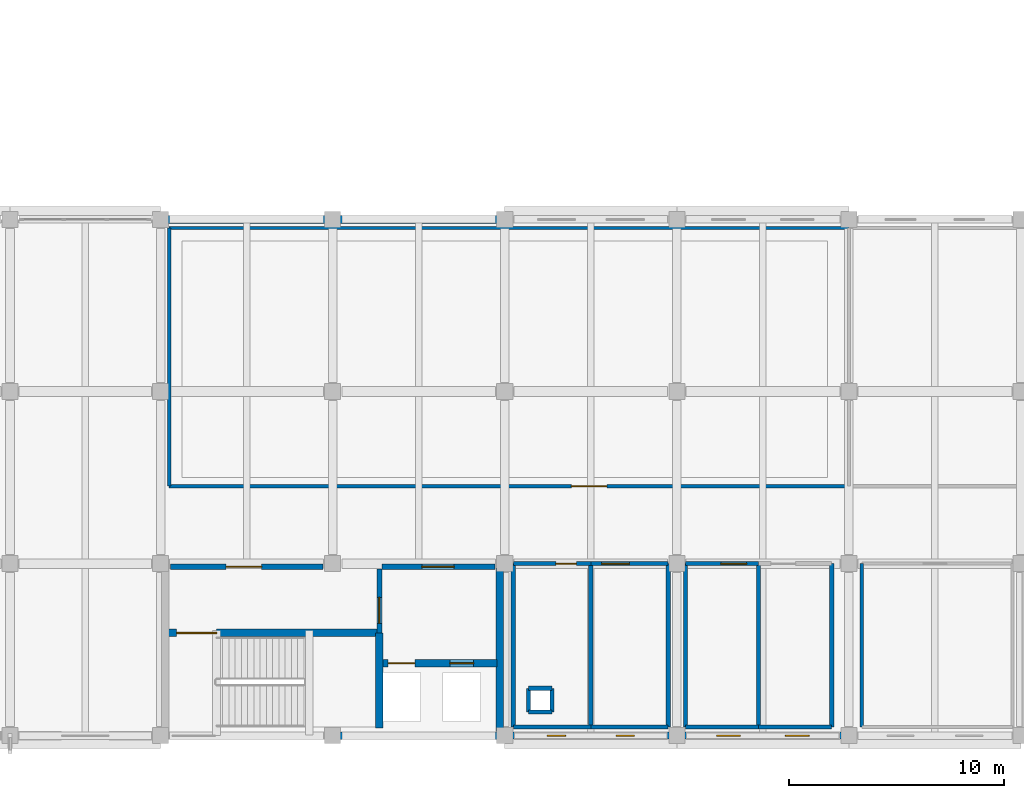
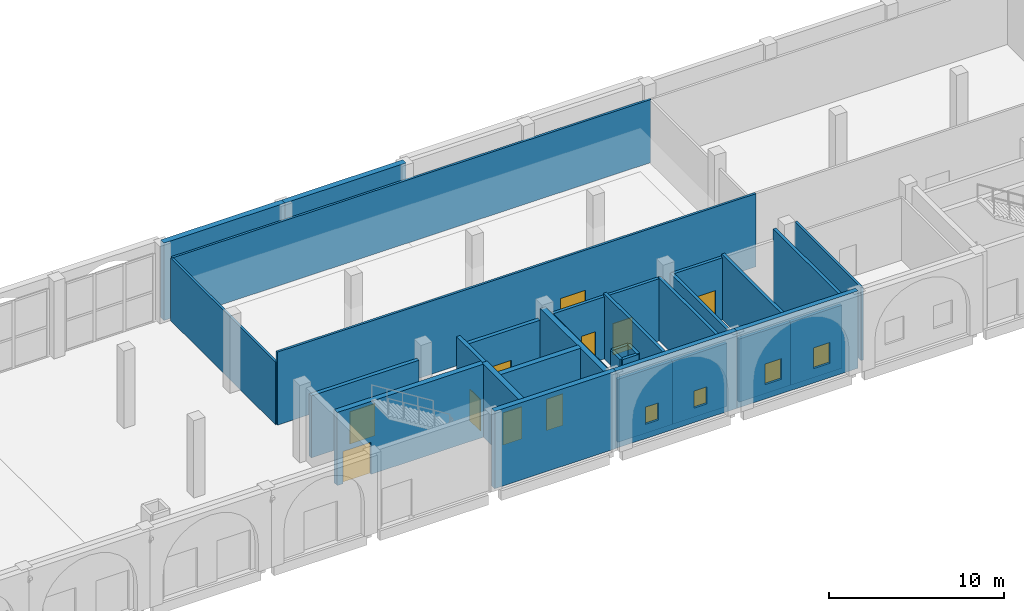
# One storey, part 19 of 40: 33 walls, 10 doors, 4 windows, 14 openings.
"""IFC4 building model written with IfcOpenShell, lengths in metres."""

from ifc_helpers import new_model, si_unit, direction, frame, frame_2d, origin, place, context, subcontext, project, spatial, rectangle, extrude, material, layer, layer_set, type_object, element, fill, save


model = new_model("IFC4")

# Units and contexts
model_context = context("Model", 3, precision=1e-05, world=origin(), true_north=direction((0.0, 1.0)))
body_context = subcontext(model_context, "Body", "Model", "MODEL_VIEW")
ifc_project = project(units=[si_unit("LENGTHUNIT", "METRE"), si_unit("AREAUNIT", "SQUARE_METRE"), si_unit("VOLUMEUNIT", "CUBIC_METRE"), si_unit("PLANEANGLEUNIT", "RADIAN"), si_unit("MASSUNIT", "GRAM", prefix="KILO")], contexts=[model_context])

# Site, building, storey
site_placement = place(None, origin())
site = spatial("IfcSite", under=ifc_project, at=site_placement, CompositionType="ELEMENT")
building_placement = place(site_placement, origin())
building = spatial("IfcBuilding", under=site, at=building_placement, Name="Qorikala Patio Media Centre", CompositionType="ELEMENT")
storey_placement = place(building_placement, origin())
storey = spatial("IfcBuildingStorey", under=building, at=storey_placement, Name="L00", CompositionType="ELEMENT", Elevation=0.0)

# Walls
ifc_material_1 = material(Name="Concrete C35/45", Category="concrete")
ifc_layer_1 = layer(ifc_material_1, 0.35009765625)
ifc_layer_set_1 = layer_set([ifc_layer_1], Name="Concrete C35/45")
wall_type_1 = type_object("IfcWallType", Name="WL-CORE-350", PredefinedType="SHEAR", material=ifc_layer_set_1)
wall_1_placement = place(storey_placement, frame((98.0, 3.0, 0.0), z_axis=(0.0, 0.0, 1.0), x_axis=(-1.0, 0.0, 0.0)))
element("IfcWall", 1, at=wall_1_placement, inside=storey, type_object=wall_type_1, Name="L00 Core C4 Exterior Shear Wall", PredefinedType="SHEAR", context=body_context, shape_type="SweptSolid", body=[
    extrude(rectangle(XDim=8.0, YDim=0.35009765625, at=frame_2d((4.0, 0.0))), origin(), (0.0, 0.0, 1.0), 5.39990234375),
])
wall_2_placement = place(storey_placement, frame((92.175048828125, 3.35009765625, 0.0), z_axis=(0.0, 0.0, 1.0), x_axis=(0.0, 1.0, 0.0)))
element("IfcWall", 2, at=wall_2_placement, inside=storey, type_object=wall_type_1, Name="L00 Interior Wall CW-L00-C4-SE", PredefinedType="SHEAR", context=body_context, shape_type="SweptSolid", body=[
    extrude(rectangle(XDim=4.4248046875, YDim=0.35009765625, at=frame_2d((2.21240234375, 0.0))), origin(), (0.0, 0.0, 1.0), 5.10009765625),
])
wall_3_placement = place(storey_placement, frame((97.77490234375, 3.199951171875, 0.0), z_axis=(0.0, 0.0, 1.0), x_axis=(0.0, 1.0, 0.0)))
element("IfcWall", 3, at=wall_3_placement, inside=storey, type_object=wall_type_1, Name="L00 Interior Wall CW-L00-C4-EE", PredefinedType="SHEAR", context=body_context, shape_type="SweptSolid", body=[
    extrude(rectangle(XDim=7.60009765625, YDim=0.35009765625, at=frame_2d((3.800048828125, 0.0))), origin(), (0.0, 0.0, 1.0), 5.10009765625),
])

# Wall, opening, door
wall_4_placement = place(storey_placement, frame((82.35009765625, 7.77490234375, 0.0), z_axis=(0.0, 0.0, 1.0), x_axis=(1.0, 0.0, 0.0)))
wall_4 = element("IfcWall", 4, at=wall_4_placement, inside=storey, type_object=wall_type_1, Name="L00 Interior Wall CW-L00-C4-SN", PredefinedType="SHEAR", context=body_context, shape_type="SweptSolid", body=[
    extrude(rectangle(XDim=9.824951171875, YDim=0.35009765625, at=frame_2d((4.91259765625, 0.0))), origin(), (0.0, 0.0, 1.0), 5.10009765625),
])
opening_1_placement = place(wall_4_placement, frame((0.39990234375, 0.0, 0.0)))
opening_1 = element("IfcOpeningElement", 5, at=opening_1_placement, cuts=wall_4, Name="Opening D123", PredefinedType="OPENING", context=body_context, shape_type="SweptSolid", body=[
    extrude(rectangle(XDim=1.85009765625, YDim=2.25, at=frame_2d((0.925048828125, 1.125))), frame((0.0, 0.18505859375, 0.0), z_axis=(0.0, -1.0, 0.0), x_axis=(1.0, 0.0, 0.0)), (0.0, 0.0, 1.0), 0.3701171875),
])
ifc_material_2 = material(Name="Powder-Coated Acoustic Fire Steel", Category="steel")
door_type_1 = type_object("IfcDoorType", Name="DR-FD60-185X225", OperationType="DOUBLE_DOOR_SINGLE_SWING", PredefinedType="DOOR", material=ifc_material_2)
door_1_placement = place(opening_1_placement, frame((1.85009765625, 0.0, 0.0), z_axis=(0.0, 0.0, 1.0), x_axis=(-1.0, 0.0, 0.0)))
door_1 = element("IfcDoor", 6, at=door_1_placement, inside=storey, type_object=door_type_1, Name="L00 Stair ST-4 Fire Door", OperationType="DOUBLE_DOOR_SINGLE_SWING", OverallHeight=2.25, OverallWidth=1.85009765625, PredefinedType="DOOR", context=body_context, shape_type="SweptSolid", body=[
    extrude(rectangle(XDim=1.85009765625, YDim=2.25, at=frame_2d((0.925048828125, 1.125))), frame((0.0, 0.02490234375, 0.0), z_axis=(0.0, -1.0, 0.0), x_axis=(1.0, 0.0, 0.0)), (0.0, 0.0, 1.0), 0.050048828125),
])
fill(opening_1, door_1)

# Wall, openings, doors
wall_5_placement = place(storey_placement, frame((92.175048828125, 6.375, 0.0), z_axis=(0.0, 0.0, 1.0), x_axis=(1.0, 0.0, 0.0)))
wall_5 = element("IfcWall", 7, at=wall_5_placement, inside=storey, type_object=wall_type_1, Name="L00 Interior Wall CW-L00-C4-LFN", PredefinedType="SHEAR", context=body_context, shape_type="SweptSolid", body=[
    extrude(rectangle(XDim=5.474853515625, YDim=0.35009765625, at=frame_2d((2.7373046875, 0.0))), origin(), (0.0, 0.0, 1.0), 5.10009765625),
])
opening_2_placement = place(wall_5_placement, frame((0.39990234375, 0.0, 0.0)))
opening_2 = element("IfcOpeningElement", 8, at=opening_2_placement, cuts=wall_5, Name="Opening LD31", PredefinedType="OPENING", context=body_context, shape_type="SweptSolid", body=[
    extrude(rectangle(XDim=1.25, YDim=2.25, at=frame_2d((0.625, 1.125))), frame((0.0, 0.18505859375, 0.0), z_axis=(0.0, -1.0, 0.0), x_axis=(1.0, 0.0, 0.0)), (0.0, 0.0, 1.0), 0.3701171875),
])
opening_3_placement = place(wall_5_placement, frame((3.27490234375, 0.0, 0.0)))
opening_3 = element("IfcOpeningElement", 9, at=opening_3_placement, cuts=wall_5, Name="Opening LD32", PredefinedType="OPENING", context=body_context, shape_type="SweptSolid", body=[
    extrude(rectangle(XDim=1.10009765625, YDim=2.199951171875, at=frame_2d((0.550048828125, 1.10009765625))), frame((0.0, 0.18505859375, 0.0), z_axis=(0.0, -1.0, 0.0), x_axis=(1.0, 0.0, 0.0)), (0.0, 0.0, 1.0), 0.3701171875),
])
ifc_material_3 = material(Name="Brushed Bronze Stainless Steel", Category="steel")
door_type_2 = type_object("IfcDoorType", Name="DR-LD-110X220", OperationType="DOUBLE_DOOR_SLIDING", PredefinedType="DOOR", material=ifc_material_3)
door_2_placement = place(opening_3_placement, origin())
door_2 = element("IfcDoor", 10, at=door_2_placement, inside=storey, type_object=door_type_2, Name="L00 Lift LP-02 Sliding Landing Door", OperationType="DOUBLE_DOOR_SLIDING", OverallHeight=2.199951171875, OverallWidth=1.10009765625, PredefinedType="DOOR", context=body_context, shape_type="SweptSolid", body=[
    extrude(rectangle(XDim=1.10009765625, YDim=2.199951171875, at=frame_2d((0.550048828125, 1.10009765625))), frame((0.0, 0.02490234375, 0.0), z_axis=(0.0, -1.0, 0.0), x_axis=(1.0, 0.0, 0.0)), (0.0, 0.0, 1.0), 0.050048828125),
])
fill(opening_3, door_2)
door_type_3 = type_object("IfcDoorType", Name="DR-LD-125X225", OperationType="DOUBLE_DOOR_SLIDING", PredefinedType="DOOR", material=ifc_material_3)
door_3_placement = place(opening_2_placement, origin())
door_3 = element("IfcDoor", 11, at=door_3_placement, inside=storey, type_object=door_type_3, Name="L00 Lift LP-01 Sliding Landing Door", OperationType="DOUBLE_DOOR_SLIDING", OverallHeight=2.25, OverallWidth=1.25, PredefinedType="DOOR", context=body_context, shape_type="SweptSolid", body=[
    extrude(rectangle(XDim=1.25, YDim=2.25, at=frame_2d((0.625, 1.125))), frame((0.0, 0.02490234375, 0.0), z_axis=(0.0, -1.0, 0.0), x_axis=(1.0, 0.0, 0.0)), (0.0, 0.0, 1.0), 0.050048828125),
])
fill(opening_2, door_3)

# Wall, openings, windows
ifc_material_4 = material(Name="Ivory Lime Stucco and Concrete C35/45", Category="concrete")
ifc_layer_2 = layer(ifc_material_4, 0.320068359375)
ifc_layer_set_2 = layer_set([ifc_layer_2], Name="Ivory Lime Stucco and Concrete C35/45")
wall_type_2 = type_object("IfcWallType", Name="WL-EXT-320", PredefinedType="SOLIDWALL", material=ifc_layer_set_2)
wall_6_placement = place(storey_placement, frame((114.0, 3.0, 0.0), z_axis=(0.0, 0.0, 1.0), x_axis=(-1.0, 0.0, 0.0)))
wall_6 = element("IfcWall", 12, at=wall_6_placement, inside=storey, type_object=wall_type_2, Name="L00 Exterior Wall WL-L00-EXT-0032", PredefinedType="SOLIDWALL", context=body_context, shape_type="SweptSolid", body=[
    extrude(rectangle(XDim=8.0, YDim=0.320068359375, at=frame_2d((4.0, 0.0))), origin(), (0.0, 0.0, 1.0), 5.39990234375),
])
opening_4_placement = place(wall_6_placement, frame((1.85009765625, 0.0, 1.0)))
opening_4 = element("IfcOpeningElement", 13, at=opening_4_placement, cuts=wall_6, Name="Opening WE-110", PredefinedType="OPENING", context=body_context, shape_type="SweptSolid", body=[
    extrude(rectangle(XDim=1.10009765625, YDim=1.449951171875, at=frame_2d((0.550048828125, 0.72509765625))), frame((0.0, 0.169921875, 0.0), z_axis=(0.0, -1.0, 0.0), x_axis=(1.0, 0.0, 0.0)), (0.0, 0.0, 1.0), 0.340087890625),
])
opening_5_placement = place(wall_6_placement, frame((5.050048828125, 0.0, 1.0)))
opening_5 = element("IfcOpeningElement", 14, at=opening_5_placement, cuts=wall_6, Name="Opening WE-110", PredefinedType="OPENING", context=body_context, shape_type="SweptSolid", body=[
    extrude(rectangle(XDim=1.10009765625, YDim=1.449951171875, at=frame_2d((0.550048828125, 0.72509765625))), frame((0.0, 0.169921875, 0.0), z_axis=(0.0, -1.0, 0.0), x_axis=(1.0, 0.0, 0.0)), (0.0, 0.0, 1.0), 0.340087890625),
])
ifc_material_5 = material(Name="Bronze Anodised Aluminium and Low-E Glass", Category="aluminium")
window_type_1 = type_object("IfcWindowType", Name="WN-ED-110X145", PartitioningType="SINGLE_PANEL", PredefinedType="WINDOW", material=ifc_material_5)
window_1_placement = place(opening_4_placement, origin())
window_1 = element("IfcWindow", 15, at=window_1_placement, inside=storey, type_object=window_type_1, Name="L00 Editing Wing Casement Window 0031", OverallHeight=1.449951171875, OverallWidth=1.10009765625, PartitioningType="SINGLE_PANEL", PredefinedType="WINDOW", context=body_context, shape_type="SweptSolid", body=[
    extrude(rectangle(XDim=1.10009765625, YDim=1.449951171875, at=frame_2d((0.550048828125, 0.72509765625))), frame((0.0, 0.030029296875, 0.0), z_axis=(0.0, -1.0, 0.0), x_axis=(1.0, 0.0, 0.0)), (0.0, 0.0, 1.0), 0.06005859375),
])
fill(opening_4, window_1)
window_2_placement = place(opening_5_placement, origin())
window_2 = element("IfcWindow", 16, at=window_2_placement, inside=storey, type_object=window_type_1, Name="L00 Editing Wing Casement Window 0032", OverallHeight=1.449951171875, OverallWidth=1.10009765625, PartitioningType="SINGLE_PANEL", PredefinedType="WINDOW", context=body_context, shape_type="SweptSolid", body=[
    extrude(rectangle(XDim=1.10009765625, YDim=1.449951171875, at=frame_2d((0.550048828125, 0.72509765625))), frame((0.0, 0.030029296875, 0.0), z_axis=(0.0, -1.0, 0.0), x_axis=(1.0, 0.0, 0.0)), (0.0, 0.0, 1.0), 0.06005859375),
])
fill(opening_5, window_2)

wall_7_placement = place(storey_placement, frame((106.0, 3.0, 0.0), z_axis=(0.0, 0.0, 1.0), x_axis=(-1.0, 0.0, 0.0)))
wall_7 = element("IfcWall", 17, at=wall_7_placement, inside=storey, type_object=wall_type_2, Name="L00 Exterior Wall WL-L00-EXT-0033", PredefinedType="SOLIDWALL", context=body_context, shape_type="SweptSolid", body=[
    extrude(rectangle(XDim=8.0, YDim=0.320068359375, at=frame_2d((4.0, 0.0))), origin(), (0.0, 0.0, 1.0), 5.39990234375),
])
opening_6_placement = place(wall_7_placement, frame((1.97509765625, 0.0, 1.0)))
opening_6 = element("IfcOpeningElement", 18, at=opening_6_placement, cuts=wall_7, Name="Opening WE-085", PredefinedType="OPENING", context=body_context, shape_type="SweptSolid", body=[
    extrude(rectangle(XDim=0.85009765625, YDim=1.199951171875, at=frame_2d((0.425048828125, 0.60009765625))), frame((0.0, 0.169921875, 0.0), z_axis=(0.0, -1.0, 0.0), x_axis=(1.0, 0.0, 0.0)), (0.0, 0.0, 1.0), 0.340087890625),
])
opening_7_placement = place(wall_7_placement, frame((5.175048828125, 0.0, 1.0)))
opening_7 = element("IfcOpeningElement", 19, at=opening_7_placement, cuts=wall_7, Name="Opening WE-085", PredefinedType="OPENING", context=body_context, shape_type="SweptSolid", body=[
    extrude(rectangle(XDim=0.85009765625, YDim=1.199951171875, at=frame_2d((0.425048828125, 0.60009765625))), frame((0.0, 0.169921875, 0.0), z_axis=(0.0, -1.0, 0.0), x_axis=(1.0, 0.0, 0.0)), (0.0, 0.0, 1.0), 0.340087890625),
])
window_type_2 = type_object("IfcWindowType", Name="WN-ED-085X120", PartitioningType="SINGLE_PANEL", PredefinedType="WINDOW", material=ifc_material_5)
window_3_placement = place(opening_6_placement, origin())
window_3 = element("IfcWindow", 20, at=window_3_placement, inside=storey, type_object=window_type_2, Name="L00 Editing Wing Casement Window 0033", OverallHeight=1.199951171875, OverallWidth=0.85009765625, PartitioningType="SINGLE_PANEL", PredefinedType="WINDOW", context=body_context, shape_type="SweptSolid", body=[
    extrude(rectangle(XDim=0.85009765625, YDim=1.199951171875, at=frame_2d((0.425048828125, 0.60009765625))), frame((0.0, 0.030029296875, 0.0), z_axis=(0.0, -1.0, 0.0), x_axis=(1.0, 0.0, 0.0)), (0.0, 0.0, 1.0), 0.06005859375),
])
fill(opening_6, window_3)
window_4_placement = place(opening_7_placement, origin())
window_4 = element("IfcWindow", 21, at=window_4_placement, inside=storey, type_object=window_type_2, Name="L00 Editing Wing Casement Window 0034", OverallHeight=1.199951171875, OverallWidth=0.85009765625, PartitioningType="SINGLE_PANEL", PredefinedType="WINDOW", context=body_context, shape_type="SweptSolid", body=[
    extrude(rectangle(XDim=0.85009765625, YDim=1.199951171875, at=frame_2d((0.425048828125, 0.60009765625))), frame((0.0, 0.030029296875, 0.0), z_axis=(0.0, -1.0, 0.0), x_axis=(1.0, 0.0, 0.0)), (0.0, 0.0, 1.0), 0.06005859375),
])
fill(opening_7, window_4)

# Wall, opening, door
ifc_layer_3 = layer(ifc_material_1, 0.25)
ifc_layer_set_3 = layer_set([ifc_layer_3], Name="Concrete C35/45")
wall_type_3 = type_object("IfcWallType", Name="WL-FFL-250", PredefinedType="PARTITIONING", material=ifc_layer_set_3)
wall_8_placement = place(storey_placement, frame((92.175048828125, 7.77490234375, 0.0), z_axis=(0.0, 0.0, 1.0), x_axis=(0.0, 1.0, 0.0)))
wall_8 = element("IfcWall", 22, at=wall_8_placement, inside=storey, type_object=wall_type_3, Name="L00 Interior Wall CW-L00-C4-LBD", PredefinedType="PARTITIONING", context=body_context, shape_type="SweptSolid", body=[
    extrude(rectangle(XDim=2.97509765625, YDim=0.25, at=frame_2d((1.487548828125, 0.0))), origin(), (0.0, 0.0, 1.0), 5.10009765625),
])
opening_8_placement = place(wall_8_placement, frame((0.449951171875, 0.0, 0.0)))
opening_8 = element("IfcOpeningElement", 23, at=opening_8_placement, cuts=wall_8, Name="Opening D124", PredefinedType="OPENING", context=body_context, shape_type="SweptSolid", body=[
    extrude(rectangle(XDim=1.199951171875, YDim=2.199951171875, at=frame_2d((0.60009765625, 1.10009765625))), frame((0.0, 0.135009765625, 0.0), z_axis=(0.0, -1.0, 0.0), x_axis=(1.0, 0.0, 0.0)), (0.0, 0.0, 1.0), 0.27001953125),
])
ifc_material_6 = material(Name="Acoustic Fire Timber and Steel", Category="steel")
door_type_4 = type_object("IfcDoorType", Name="DR-FD60-120X220", OperationType="NOTDEFINED", PredefinedType="DOOR", material=ifc_material_6)
door_4_placement = place(opening_8_placement, origin())
door_4 = element("IfcDoor", 24, at=door_4_placement, inside=storey, type_object=door_type_4, Name="L00 Core C4 Firefighting Lobby Cross Door", OperationType="SINGLE_SWING_RIGHT", OverallHeight=2.199951171875, OverallWidth=1.199951171875, PredefinedType="DOOR", context=body_context, shape_type="SweptSolid", body=[
    extrude(rectangle(XDim=1.199951171875, YDim=2.199951171875, at=frame_2d((0.60009765625, 1.10009765625))), frame((0.0, 0.02490234375, 0.0), z_axis=(0.0, -1.0, 0.0), x_axis=(1.0, 0.0, 0.0)), (0.0, 0.0, 1.0), 0.050048828125),
])
fill(opening_8, door_4)

wall_9_placement = place(storey_placement, frame((82.449951171875, 10.85009765625, 0.0), z_axis=(0.0, 0.0, 1.0), x_axis=(1.0, 0.0, 0.0)))
wall_9 = element("IfcWall", 25, at=wall_9_placement, inside=storey, type_object=wall_type_3, Name="L00 Interior Wall CW-L00-C4-CN1", PredefinedType="PARTITIONING", context=body_context, shape_type="SweptSolid", body=[
    extrude(rectangle(XDim=7.10009765625, YDim=0.25, at=frame_2d((3.550048828125, 0.0))), origin(), (0.0, 0.0, 1.0), 4.3349609375),
])
opening_9_placement = place(wall_9_placement, frame((2.60009765625, 0.0, 0.0)))
opening_9 = element("IfcOpeningElement", 26, at=opening_9_placement, cuts=wall_9, Name="Opening D125", PredefinedType="OPENING", context=body_context, shape_type="SweptSolid", body=[
    extrude(rectangle(XDim=1.64990234375, YDim=2.25, at=frame_2d((0.824951171875, 1.125))), frame((0.0, 0.135009765625, 0.0), z_axis=(0.0, -1.0, 0.0), x_axis=(1.0, 0.0, 0.0)), (0.0, 0.0, 1.0), 0.27001953125),
])
door_type_5 = type_object("IfcDoorType", Name="DR-FD60-165X225", OperationType="DOUBLE_DOOR_SINGLE_SWING", PredefinedType="DOOR", material=ifc_material_2)
door_5_placement = place(opening_9_placement, frame((1.64990234375, 0.0, 0.0), z_axis=(0.0, 0.0, 1.0), x_axis=(-1.0, 0.0, 0.0)))
door_5 = element("IfcDoor", 27, at=door_5_placement, inside=storey, type_object=door_type_5, Name="L00 Core C4 Vestibule Door", OperationType="DOUBLE_DOOR_SINGLE_SWING", OverallHeight=2.25, OverallWidth=1.64990234375, PredefinedType="DOOR", context=body_context, shape_type="SweptSolid", body=[
    extrude(rectangle(XDim=1.64990234375, YDim=2.25, at=frame_2d((0.824951171875, 1.125))), frame((0.0, 0.02490234375, 0.0), z_axis=(0.0, -1.0, 0.0), x_axis=(1.0, 0.0, 0.0)), (0.0, 0.0, 1.0), 0.050048828125),
])
fill(opening_9, door_5)

wall_10_placement = place(storey_placement, frame((92.300048828125, 10.85009765625, 0.0), z_axis=(0.0, 0.0, 1.0), x_axis=(1.0, 0.0, 0.0)))
wall_10 = element("IfcWall", 28, at=wall_10_placement, inside=storey, type_object=wall_type_3, Name="L00 Interior Wall CW-L00-C4-CN2", PredefinedType="PARTITIONING", context=body_context, shape_type="SweptSolid", body=[
    extrude(rectangle(XDim=5.25, YDim=0.25, at=frame_2d((2.625, 0.0))), origin(), (0.0, 0.0, 1.0), 4.3349609375),
])
opening_10_placement = place(wall_10_placement, frame((1.85009765625, 0.0, 0.0)))
opening_10 = element("IfcOpeningElement", 29, at=opening_10_placement, cuts=wall_10, Name="Opening D126", PredefinedType="OPENING", context=body_context, shape_type="SweptSolid", body=[
    extrude(rectangle(XDim=1.5, YDim=2.199951171875, at=frame_2d((0.75, 1.10009765625))), frame((0.0, 0.135009765625, 0.0), z_axis=(0.0, -1.0, 0.0), x_axis=(1.0, 0.0, 0.0)), (0.0, 0.0, 1.0), 0.27001953125),
])
door_type_6 = type_object("IfcDoorType", Name="DR-FD60-150X220", OperationType="DOUBLE_DOOR_SINGLE_SWING", PredefinedType="DOOR", material=ifc_material_2)
door_6_placement = place(opening_10_placement, origin())
door_6 = element("IfcDoor", 30, at=door_6_placement, inside=storey, type_object=door_type_6, Name="L00 Core C4 Firefighting Lobby Door", OperationType="DOUBLE_DOOR_SINGLE_SWING", OverallHeight=2.199951171875, OverallWidth=1.5, PredefinedType="DOOR", context=body_context, shape_type="SweptSolid", body=[
    extrude(rectangle(XDim=1.5, YDim=2.199951171875, at=frame_2d((0.75, 1.10009765625))), frame((0.0, 0.02490234375, 0.0), z_axis=(0.0, -1.0, 0.0), x_axis=(1.0, 0.0, 0.0)), (0.0, 0.0, 1.0), 0.050048828125),
])
fill(opening_10, door_6)

# Wall
ifc_material_7 = material(Name="Acoustic Gypsum Stud Partition")
ifc_layer_4 = layer(ifc_material_7, 0.14990234375)
ifc_layer_set_4 = layer_set([ifc_layer_4], Name="Acoustic Gypsum Stud Partition")
wall_type_4 = type_object("IfcWallType", Name="WL-PT-150", PredefinedType="PARTITIONING", material=ifc_layer_set_4)
wall_11_placement = place(storey_placement, frame((114.60009765625, 3.39990234375, 0.0), z_axis=(0.0, 0.0, 1.0), x_axis=(0.0, 1.0, 0.0)))
element("IfcWall", 31, at=wall_11_placement, inside=storey, type_object=wall_type_4, Name="L00 Interior Wall WINT-L00-SHOP-W", PredefinedType="PARTITIONING", context=body_context, shape_type="SweptSolid", body=[
    extrude(rectangle(XDim=7.60009765625, YDim=0.14990234375, at=frame_2d((3.800048828125, 0.0))), origin(), (0.0, 0.0, 1.0), 5.10009765625),
])

# Wall, opening, door
wall_12_placement = place(storey_placement, frame((82.39990234375, 14.60009765625, 0.0), z_axis=(0.0, 0.0, 1.0), x_axis=(1.0, 0.0, 0.0)))
wall_12 = element("IfcWall", 32, at=wall_12_placement, inside=storey, type_object=wall_type_4, Name="L00 Interior Wall WINT-L00-CAFE-S", PredefinedType="PARTITIONING", context=body_context, shape_type="SweptSolid", body=[
    extrude(rectangle(XDim=31.60009765625, YDim=0.14990234375, at=frame_2d((15.800048828125, 0.0))), origin(), (0.0, 0.0, 1.0), 5.10009765625),
])
opening_11_placement = place(wall_12_placement, frame((18.694091796875, 0.0, 0.0)))
opening_11 = element("IfcOpeningElement", 33, at=opening_11_placement, cuts=wall_12, Name="Opening D237", PredefinedType="OPENING", context=body_context, shape_type="SweptSolid", body=[
    extrude(rectangle(XDim=1.64990234375, YDim=2.300048828125, at=frame_2d((0.824951171875, 1.14990234375))), frame((0.0, 0.0849609375, 0.0), z_axis=(0.0, -1.0, 0.0), x_axis=(1.0, 0.0, 0.0)), (0.0, 0.0, 1.0), 0.169921875),
])
ifc_material_8 = material(Name="Solid Andean Cedar Timber", Category="wood")
door_type_7 = type_object("IfcDoorType", Name="DR-IN-165X230", OperationType="DOUBLE_DOOR_SINGLE_SWING", PredefinedType="DOOR", material=ifc_material_8)
door_7_placement = place(opening_11_placement, origin())
door_7 = element("IfcDoor", 34, at=door_7_placement, inside=storey, type_object=door_type_7, Name="Patio Cafe and Espresso Bar Door 026", OperationType="DOUBLE_DOOR_SINGLE_SWING", OverallHeight=2.300048828125, OverallWidth=1.64990234375, PredefinedType="DOOR", context=body_context, shape_type="SweptSolid", body=[
    extrude(rectangle(XDim=1.64990234375, YDim=2.300048828125, at=frame_2d((0.824951171875, 1.14990234375))), frame((0.0, 0.02490234375, 0.0), z_axis=(0.0, -1.0, 0.0), x_axis=(1.0, 0.0, 0.0)), (0.0, 0.0, 1.0), 0.050048828125),
])
fill(opening_11, door_7)

# Walls
wall_13_placement = place(storey_placement, frame((82.39990234375, 26.60009765625, 0.0), z_axis=(0.0, 0.0, 1.0), x_axis=(1.0, 0.0, 0.0)))
element("IfcWall", 35, at=wall_13_placement, inside=storey, type_object=wall_type_4, Name="L00 Interior Wall WINT-L00-CAFE-N", PredefinedType="PARTITIONING", context=body_context, shape_type="SweptSolid", body=[
    extrude(rectangle(XDim=31.60009765625, YDim=0.14990234375, at=frame_2d((15.800048828125, 0.0))), origin(), (0.0, 0.0, 1.0), 4.405029296875),
])
wall_14_placement = place(storey_placement, frame((82.39990234375, 14.60009765625, 0.0), z_axis=(0.0, 0.0, 1.0), x_axis=(0.0, 1.0, 0.0)))
element("IfcWall", 36, at=wall_14_placement, inside=storey, type_object=wall_type_4, Name="L00 Interior Wall WINT-L00-CAFE-W", PredefinedType="PARTITIONING", context=body_context, shape_type="SweptSolid", body=[
    extrude(rectangle(XDim=12.0, YDim=0.14990234375, at=frame_2d((6.0, 0.0))), origin(), (0.0, 0.0, 1.0), 4.385009765625),
])
ifc_material_9 = material(Name="Acoustic Masonry and Plaster Concrete C30/37", Category="masonry")
ifc_layer_5 = layer(ifc_material_9, 0.199951171875)
ifc_layer_set_5 = layer_set([ifc_layer_5], Name="Acoustic Masonry and Plaster Concrete C30/37")
wall_type_5 = type_object("IfcWallType", Name="WL-ST-200", PredefinedType="PARTITIONING", material=ifc_layer_set_5)
wall_15_placement = place(storey_placement, frame((98.39990234375, 3.39990234375, 0.0), z_axis=(0.0, 0.0, 1.0), x_axis=(1.0, 0.0, 0.0)))
element("IfcWall", 37, at=wall_15_placement, inside=storey, type_object=wall_type_5, Name="L00 Interior Wall WINT-L00-L0WMWC-S", PredefinedType="PARTITIONING", context=body_context, shape_type="SweptSolid", body=[
    extrude(rectangle(XDim=3.60009765625, YDim=0.199951171875, at=frame_2d((1.800048828125, 0.0))), origin(), (0.0, 0.0, 1.0), 4.405029296875),
])
wall_16_placement = place(storey_placement, frame((102.0, 3.39990234375, 0.0), z_axis=(0.0, 0.0, 1.0), x_axis=(0.0, 1.0, 0.0)))
element("IfcWall", 38, at=wall_16_placement, inside=storey, type_object=wall_type_5, Name="L00 Interior Wall WINT-L00-L0WMWC-E", PredefinedType="PARTITIONING", context=body_context, shape_type="SweptSolid", body=[
    extrude(rectangle(XDim=7.60009765625, YDim=0.199951171875, at=frame_2d((3.800048828125, 0.0))), origin(), (0.0, 0.0, 1.0), 4.534912109375),
])

# Wall, opening, door
wall_17_placement = place(storey_placement, frame((98.39990234375, 11.0, 0.0), z_axis=(0.0, 0.0, 1.0), x_axis=(1.0, 0.0, 0.0)))
wall_17 = element("IfcWall", 39, at=wall_17_placement, inside=storey, type_object=wall_type_5, Name="L00 Interior Wall WINT-L00-L0WMWC-N", PredefinedType="PARTITIONING", context=body_context, shape_type="SweptSolid", body=[
    extrude(rectangle(XDim=3.60009765625, YDim=0.199951171875, at=frame_2d((1.800048828125, 0.0))), origin(), (0.0, 0.0, 1.0), 4.3349609375),
])
opening_12_placement = place(wall_17_placement, frame((1.97509765625, 0.0, 0.0)))
opening_12 = element("IfcOpeningElement", 40, at=opening_12_placement, cuts=wall_17, Name="Opening D232", PredefinedType="OPENING", context=body_context, shape_type="SweptSolid", body=[
    extrude(rectangle(XDim=0.949951171875, YDim=2.10009765625, at=frame_2d((0.47509765625, 1.050048828125))), frame((0.0, 0.10986328125, 0.0), z_axis=(0.0, -1.0, 0.0), x_axis=(1.0, 0.0, 0.0)), (0.0, 0.0, 1.0), 0.219970703125),
])
ifc_material_10 = material(Name="Acoustic Fire Timber", Category="wood")
door_type_8 = type_object("IfcDoorType", Name="DR-FD60-095X210", OperationType="NOTDEFINED", PredefinedType="DOOR", material=ifc_material_10)
door_8_placement = place(opening_12_placement, origin())
door_8 = element("IfcDoor", 41, at=door_8_placement, inside=storey, type_object=door_type_8, Name="Male Toilet Door 021", OperationType="SINGLE_SWING_LEFT", OverallHeight=2.10009765625, OverallWidth=0.949951171875, PredefinedType="DOOR", context=body_context, shape_type="SweptSolid", body=[
    extrude(rectangle(XDim=0.949951171875, YDim=2.10009765625, at=frame_2d((0.47509765625, 1.050048828125))), frame((0.0, 0.02490234375, 0.0), z_axis=(0.0, -1.0, 0.0), x_axis=(1.0, 0.0, 0.0)), (0.0, 0.0, 1.0), 0.050048828125),
])
fill(opening_12, door_8)

# Walls
wall_18_placement = place(storey_placement, frame((98.39990234375, 3.39990234375, 0.0), z_axis=(0.0, 0.0, 1.0), x_axis=(0.0, 1.0, 0.0)))
element("IfcWall", 42, at=wall_18_placement, inside=storey, type_object=wall_type_5, Name="L00 Interior Wall WINT-L00-L0WMWC-W", PredefinedType="PARTITIONING", context=body_context, shape_type="SweptSolid", body=[
    extrude(rectangle(XDim=7.60009765625, YDim=0.199951171875, at=frame_2d((3.800048828125, 0.0))), origin(), (0.0, 0.0, 1.0), 4.385009765625),
])
wall_19_placement = place(storey_placement, frame((102.0, 3.39990234375, 0.0), z_axis=(0.0, 0.0, 1.0), x_axis=(1.0, 0.0, 0.0)))
element("IfcWall", 43, at=wall_19_placement, inside=storey, type_object=wall_type_5, Name="L00 Interior Wall WINT-L00-L0WFWC-S", PredefinedType="PARTITIONING", context=body_context, shape_type="SweptSolid", body=[
    extrude(rectangle(XDim=3.60009765625, YDim=0.199951171875, at=frame_2d((1.800048828125, 0.0))), origin(), (0.0, 0.0, 1.0), 4.405029296875),
])
wall_20_placement = place(storey_placement, frame((105.60009765625, 3.39990234375, 0.0), z_axis=(0.0, 0.0, 1.0), x_axis=(0.0, 1.0, 0.0)))
element("IfcWall", 44, at=wall_20_placement, inside=storey, type_object=wall_type_5, Name="L00 Interior Wall WINT-L00-L0WFWC-E", PredefinedType="PARTITIONING", context=body_context, shape_type="SweptSolid", body=[
    extrude(rectangle(XDim=7.60009765625, YDim=0.199951171875, at=frame_2d((3.800048828125, 0.0))), origin(), (0.0, 0.0, 1.0), 4.385009765625),
])

# Wall, opening, door
wall_21_placement = place(storey_placement, frame((102.0, 11.0, 0.0), z_axis=(0.0, 0.0, 1.0), x_axis=(1.0, 0.0, 0.0)))
wall_21 = element("IfcWall", 45, at=wall_21_placement, inside=storey, type_object=wall_type_5, Name="L00 Interior Wall WINT-L00-L0WFWC-N", PredefinedType="PARTITIONING", context=body_context, shape_type="SweptSolid", body=[
    extrude(rectangle(XDim=3.60009765625, YDim=0.199951171875, at=frame_2d((1.800048828125, 0.0))), origin(), (0.0, 0.0, 1.0), 4.3349609375),
])
opening_13_placement = place(wall_21_placement, frame((0.5, 0.0, 0.0)))
opening_13 = element("IfcOpeningElement", 46, at=opening_13_placement, cuts=wall_21, Name="Opening D233", PredefinedType="OPENING", context=body_context, shape_type="SweptSolid", body=[
    extrude(rectangle(XDim=1.300048828125, YDim=2.199951171875, at=frame_2d((0.64990234375, 1.10009765625))), frame((0.0, 0.10986328125, 0.0), z_axis=(0.0, -1.0, 0.0), x_axis=(1.0, 0.0, 0.0)), (0.0, 0.0, 1.0), 0.219970703125),
])
door_type_9 = type_object("IfcDoorType", Name="DR-FD60-130X220", OperationType="NOTDEFINED", PredefinedType="DOOR", material=ifc_material_6)
door_9_placement = place(opening_13_placement, origin())
door_9 = element("IfcDoor", 47, at=door_9_placement, inside=storey, type_object=door_type_9, Name="Female Toilet Door 022", OperationType="SINGLE_SWING_RIGHT", OverallHeight=2.199951171875, OverallWidth=1.300048828125, PredefinedType="DOOR", context=body_context, shape_type="SweptSolid", body=[
    extrude(rectangle(XDim=1.300048828125, YDim=2.199951171875, at=frame_2d((0.64990234375, 1.10009765625))), frame((0.0, 0.02490234375, 0.0), z_axis=(0.0, -1.0, 0.0), x_axis=(1.0, 0.0, 0.0)), (0.0, 0.0, 1.0), 0.050048828125),
])
fill(opening_13, door_9)

# Walls
wall_22_placement = place(storey_placement, frame((106.39990234375, 3.39990234375, 0.0), z_axis=(0.0, 0.0, 1.0), x_axis=(1.0, 0.0, 0.0)))
element("IfcWall", 48, at=wall_22_placement, inside=storey, type_object=wall_type_5, Name="L00 Interior Wall WINT-L00-L0WAWC-S", PredefinedType="PARTITIONING", context=body_context, shape_type="SweptSolid", body=[
    extrude(rectangle(XDim=3.400146484375, YDim=0.199951171875, at=frame_2d((1.7001953125, 0.0))), origin(), (0.0, 0.0, 1.0), 4.405029296875),
])
wall_23_placement = place(storey_placement, frame((109.800048828125, 3.39990234375, 0.0), z_axis=(0.0, 0.0, 1.0), x_axis=(0.0, 1.0, 0.0)))
element("IfcWall", 49, at=wall_23_placement, inside=storey, type_object=wall_type_5, Name="L00 Interior Wall WINT-L00-L0WAWC-E", PredefinedType="PARTITIONING", context=body_context, shape_type="SweptSolid", body=[
    extrude(rectangle(XDim=7.60009765625, YDim=0.199951171875, at=frame_2d((3.800048828125, 0.0))), origin(), (0.0, 0.0, 1.0), 4.534912109375),
])

# Wall, opening, door
wall_24_placement = place(storey_placement, frame((106.39990234375, 11.0, 0.0), z_axis=(0.0, 0.0, 1.0), x_axis=(1.0, 0.0, 0.0)))
wall_24 = element("IfcWall", 50, at=wall_24_placement, inside=storey, type_object=wall_type_5, Name="L00 Interior Wall WINT-L00-L0WAWC-N", PredefinedType="PARTITIONING", context=body_context, shape_type="SweptSolid", body=[
    extrude(rectangle(XDim=3.400146484375, YDim=0.199951171875, at=frame_2d((1.7001953125, 0.0))), origin(), (0.0, 0.0, 1.0), 4.3349609375),
])
opening_14_placement = place(wall_24_placement, frame((1.64990234375, 0.0, 0.0)))
opening_14 = element("IfcOpeningElement", 51, at=opening_14_placement, cuts=wall_24, Name="Opening D234", PredefinedType="OPENING", context=body_context, shape_type="SweptSolid", body=[
    extrude(rectangle(XDim=1.199951171875, YDim=2.199951171875, at=frame_2d((0.60009765625, 1.10009765625))), frame((0.0, 0.10986328125, 0.0), z_axis=(0.0, -1.0, 0.0), x_axis=(1.0, 0.0, 0.0)), (0.0, 0.0, 1.0), 0.219970703125),
])
door_10_placement = place(opening_14_placement, origin())
door_10 = element("IfcDoor", 52, at=door_10_placement, inside=storey, type_object=door_type_4, Name="Accessible Toilet Door 023", OperationType="SINGLE_SWING_LEFT", OverallHeight=2.199951171875, OverallWidth=1.199951171875, PredefinedType="DOOR", context=body_context, shape_type="SweptSolid", body=[
    extrude(rectangle(XDim=1.199951171875, YDim=2.199951171875, at=frame_2d((0.60009765625, 1.10009765625))), frame((0.0, 0.02490234375, 0.0), z_axis=(0.0, -1.0, 0.0), x_axis=(1.0, 0.0, 0.0)), (0.0, 0.0, 1.0), 0.050048828125),
])
fill(opening_14, door_10)

# Walls
wall_25_placement = place(storey_placement, frame((106.39990234375, 3.39990234375, 0.0), z_axis=(0.0, 0.0, 1.0), x_axis=(0.0, 1.0, 0.0)))
element("IfcWall", 53, at=wall_25_placement, inside=storey, type_object=wall_type_5, Name="L00 Interior Wall WINT-L00-L0WAWC-W", PredefinedType="PARTITIONING", context=body_context, shape_type="SweptSolid", body=[
    extrude(rectangle(XDim=7.60009765625, YDim=0.199951171875, at=frame_2d((3.800048828125, 0.0))), origin(), (0.0, 0.0, 1.0), 4.385009765625),
])
wall_26_placement = place(storey_placement, frame((109.800048828125, 3.39990234375, 0.0), z_axis=(0.0, 0.0, 1.0), x_axis=(1.0, 0.0, 0.0)))
element("IfcWall", 54, at=wall_26_placement, inside=storey, type_object=wall_type_5, Name="L00 Interior Wall WINT-L00-L0WSTR-S", PredefinedType="PARTITIONING", context=body_context, shape_type="SweptSolid", body=[
    extrude(rectangle(XDim=3.39990234375, YDim=0.199951171875, at=frame_2d((1.699951171875, 0.0))), origin(), (0.0, 0.0, 1.0), 4.405029296875),
])
wall_27_placement = place(storey_placement, frame((113.199951171875, 3.39990234375, 0.0), z_axis=(0.0, 0.0, 1.0), x_axis=(0.0, 1.0, 0.0)))
element("IfcWall", 55, at=wall_27_placement, inside=storey, type_object=wall_type_5, Name="L00 Interior Wall WINT-L00-L0WSTR-E", PredefinedType="PARTITIONING", context=body_context, shape_type="SweptSolid", body=[
    extrude(rectangle(XDim=7.60009765625, YDim=0.199951171875, at=frame_2d((3.800048828125, 0.0))), origin(), (0.0, 0.0, 1.0), 5.10009765625),
])
for number, where, z_axis, x_axis, name in (
    (56, (99.10009765625, 4.10009765625, 0.0), (0.0, 0.0, 1.0), (1.0, 0.0, 0.0), "L00 Interior Wall RSW-8-L00-S"),
    (57, (99.10009765625, 5.199951171875, 0.0), (0.0, 0.0, 1.0), (1.0, 0.0, 0.0), "L00 Interior Wall RSW-8-L00-N"),
    (58, (99.10009765625, 4.10009765625, 0.0), (0.0, 0.0, 1.0), (0.0, 1.0, 0.0), "L00 Interior Wall RSW-8-L00-W"),
    (59, (100.199951171875, 4.10009765625, 0.0), (0.0, 0.0, 1.0), (0.0, 1.0, 0.0), "L00 Interior Wall RSW-8-L00-E"),
):
    element("IfcWall", number, at=place(storey_placement, frame(where, z_axis=z_axis, x_axis=x_axis)), inside=storey, type_object=wall_type_5, Name=name, PredefinedType="PARTITIONING", context=body_context, shape_type="SweptSolid", body=[
        extrude(rectangle(XDim=1.099853515625, YDim=0.199951171875, at=frame_2d((0.5498046875, 0.0))), origin(), (0.0, 0.0, 1.0), 5.10009765625),
    ])
ifc_material_11 = material(Name="Comanche Granite and Concrete C35/45", Category="masonry")
ifc_layer_6 = layer(ifc_material_11, 0.3798828125)
ifc_layer_set_6 = layer_set([ifc_layer_6], Name="Comanche Granite and Concrete C35/45")
wall_type_6 = type_object("IfcWallType", Name="WL-STONE-380", PredefinedType="SOLIDWALL", material=ifc_layer_set_6)
for number, where, z_axis, x_axis, name in (
    (60, (82.0, 27.0, 0.0), (0.0, 0.0, 1.0), (1.0, 0.0, 0.0), "L00 Exterior Wall WL-L00-EXT-0009"),
    (61, (90.0, 27.0, 0.0), (0.0, 0.0, 1.0), (1.0, 0.0, 0.0), "L00 Exterior Wall WL-L00-EXT-0010"),
):
    element("IfcWall", number, at=place(storey_placement, frame(where, z_axis=z_axis, x_axis=x_axis)), inside=storey, type_object=wall_type_6, Name=name, PredefinedType="SOLIDWALL", context=body_context, shape_type="SweptSolid", body=[
        extrude(rectangle(XDim=8.0, YDim=0.3798828125, at=frame_2d((4.0, 0.0))), origin(), (0.0, 0.0, 1.0), 5.39990234375),
    ])

save(model, "model.ifc")
